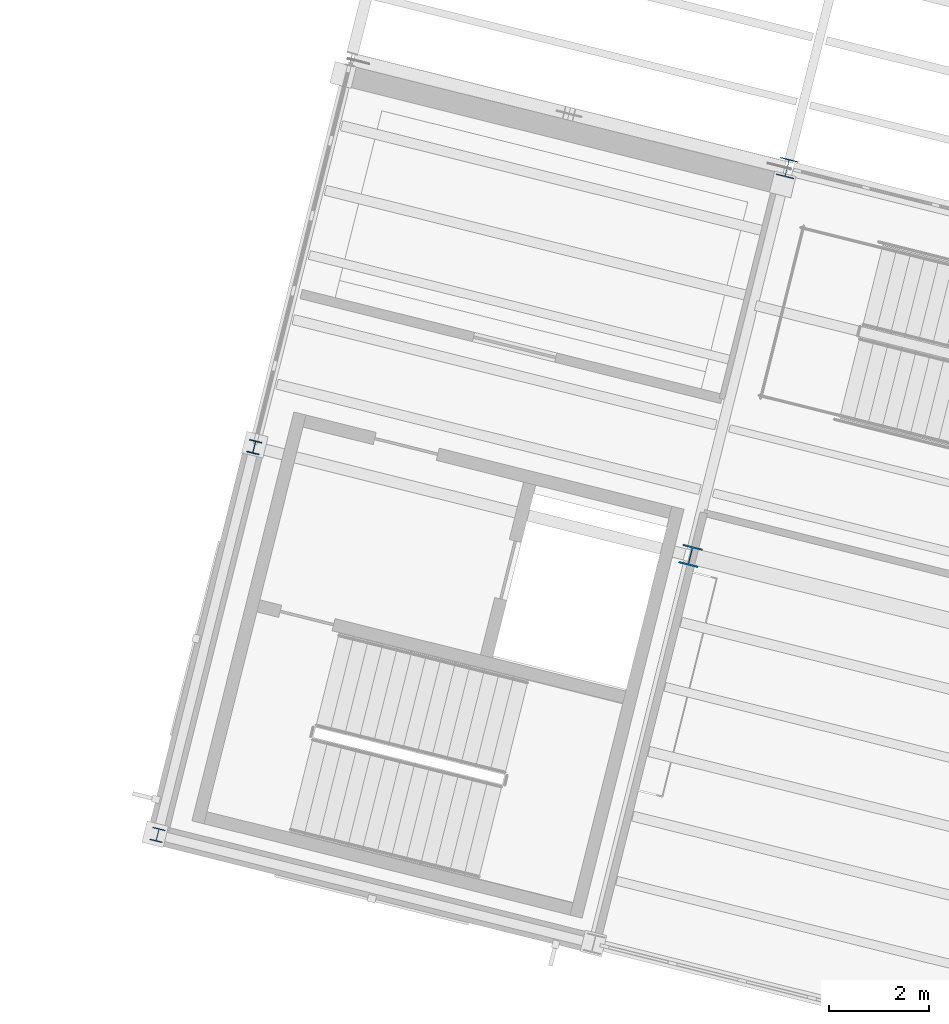
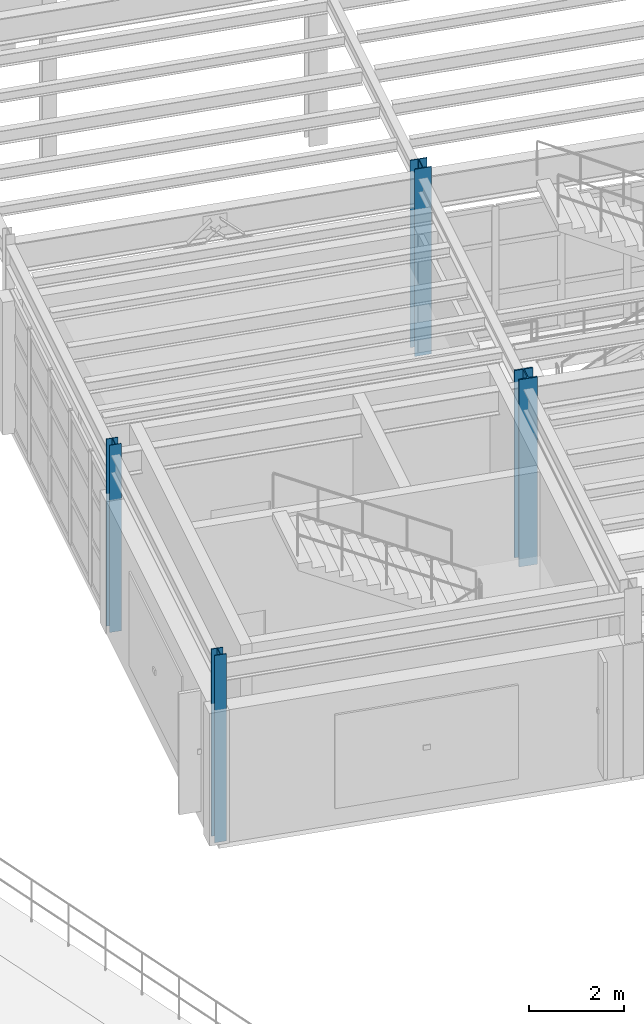
# One storey, part 5 of 109: 4 columns.
"""IFC4 building model written with IfcOpenShell, lengths in metres."""

from ifc_helpers import new_model, si_unit, direction, frame, origin, origin_2d, place, context, subcontext, project, spatial, i_section, extrude, material, material_profile, profile_set, type_object, element, save


model = new_model("IFC4")

# Units and contexts
model_context = context("Model", 3, precision=1e-05, world=origin(), true_north=direction((0.0, 1.0)))
body_context = subcontext(model_context, "Body", "Model", "MODEL_VIEW")
ifc_project = project(units=[si_unit("LENGTHUNIT", "METRE"), si_unit("AREAUNIT", "SQUARE_METRE"), si_unit("VOLUMEUNIT", "CUBIC_METRE"), si_unit("PLANEANGLEUNIT", "RADIAN"), si_unit("MASSUNIT", "GRAM", prefix="KILO")], contexts=[model_context])

# Site, building, storey
site_placement = place(None, origin())
site = spatial("IfcSite", under=ifc_project, at=site_placement, CompositionType="ELEMENT")
building_placement = place(site_placement, origin())
building = spatial("IfcBuilding", under=site, at=building_placement, Name="Vireo Bluff Cable Station", CompositionType="ELEMENT")
storey_placement = place(building_placement, frame((0.0, 0.0, 4.800048828125)))
storey = spatial("IfcBuildingStorey", under=building, at=storey_placement, Name="L01", CompositionType="ELEMENT", Elevation=4.800048828125)

# Columns
ifc_material = material(Name="Steel ASTM A992 Gr. 50", Category="steel")
ifc_material_profile_1 = material_profile(ifc_material, i_section(OverallWidth=0.39892578125, OverallDepth=0.385986328125, WebThickness=0.02099609375, FlangeThickness=0.033203125, FilletRadius=0.014892578125, at=origin_2d()), Name="W14X176")
ifc_profile_set_1 = profile_set([ifc_material_profile_1], Name="Steel ASTM A992 Gr. 50")
column_type_1 = type_object("IfcColumnType", Name="COL-W14X176", PredefinedType="COLUMN", material=ifc_profile_set_1)
column_1_placement = place(storey_placement, frame((64.66796875, 43.5849609375, 0.0), z_axis=(0.0, 0.0, 1.0), x_axis=(0.970295726276, -0.2419218956, 0.0)))
element("IfcColumn", 1, at=column_1_placement, inside=storey, type_object=column_type_1, Name="V1 L01 column 27", PredefinedType="COLUMN", context=body_context, shape_type="SweptSolid", body=[
    extrude(i_section(OverallWidth=0.39892578125, OverallDepth=0.385986328125, WebThickness=0.02099609375, FlangeThickness=0.033203125, FilletRadius=0.014892578125, at=origin_2d()), origin(), (0.0, 0.0, 1.0), 4.800048828125),
])
ifc_material_profile_2 = material_profile(ifc_material, i_section(OverallWidth=0.3701171875, OverallDepth=0.360107421875, WebThickness=0.01220703125, FlangeThickness=0.019775390625, FilletRadius=0.014892578125, at=origin_2d()), Name="W14X99")
ifc_profile_set_2 = profile_set([ifc_material_profile_2], Name="Steel ASTM A992 Gr. 50")
column_type_2 = type_object("IfcColumnType", Name="ECOL-W14X99", PredefinedType="COLUMN", material=ifc_profile_set_2)
column_2_placement = place(storey_placement, frame((66.603515625, 51.347412109375, 0.0), z_axis=(0.0, 0.0, 1.0), x_axis=(0.970295726276, -0.2419218956, 0.0)))
element("IfcColumn", 2, at=column_2_placement, inside=storey, type_object=column_type_2, Name="V1 L01 column 32", PredefinedType="COLUMN", context=body_context, shape_type="SweptSolid", body=[
    extrude(i_section(OverallWidth=0.3701171875, OverallDepth=0.360107421875, WebThickness=0.01220703125, FlangeThickness=0.019775390625, FilletRadius=0.014892578125, at=origin_2d()), origin(), (0.0, 0.0, 1.0), 4.800048828125),
])
ifc_material_profile_3 = material_profile(ifc_material, i_section(OverallWidth=0.2548828125, OverallDepth=0.256103515625, WebThickness=0.009521484375, FlangeThickness=0.015625, FilletRadius=0.009033203125, at=origin_2d()), Name="W10X54")
ifc_profile_set_3 = profile_set([ifc_material_profile_3], Name="Steel ASTM A992 Gr. 50")
column_type_3 = type_object("IfcColumnType", Name="PIL-W10X54", PredefinedType="PILASTER", material=ifc_profile_set_3)
column_3_placement = place(storey_placement, frame((55.935302734375, 45.762451171875, 0.0), z_axis=(0.0, 0.0, 1.0), x_axis=(0.970295726276, -0.2419218956, 0.0)))
element("IfcColumn", 3, at=column_3_placement, inside=storey, type_object=column_type_3, Name="V1 L01 column 7", PredefinedType="PILASTER", context=body_context, shape_type="SweptSolid", body=[
    extrude(i_section(OverallWidth=0.2548828125, OverallDepth=0.256103515625, WebThickness=0.009521484375, FlangeThickness=0.015625, FilletRadius=0.009033203125, at=origin_2d()), origin(), (0.0, 0.0, 1.0), 4.800048828125),
])
ifc_material_profile_4 = material_profile(ifc_material, i_section(OverallWidth=0.257080078125, OverallDepth=0.263916015625, WebThickness=0.011962890625, FlangeThickness=0.01953125, FilletRadius=0.009033203125, at=origin_2d()), Name="W10X68")
ifc_profile_set_4 = profile_set([ifc_material_profile_4], Name="Steel ASTM A992 Gr. 50")
column_type_4 = type_object("IfcColumnType", Name="PIL-W10X68", PredefinedType="PILASTER", material=ifc_profile_set_4)
column_4_placement = place(storey_placement, frame((54.0, 38.0, 0.0), z_axis=(0.0, 0.0, 1.0), x_axis=(0.970295726276, -0.2419218956, 0.0)))
element("IfcColumn", 4, at=column_4_placement, inside=storey, type_object=column_type_4, Name="V1 L01 column 2", PredefinedType="PILASTER", context=body_context, shape_type="SweptSolid", body=[
    extrude(i_section(OverallWidth=0.257080078125, OverallDepth=0.263916015625, WebThickness=0.011962890625, FlangeThickness=0.01953125, FilletRadius=0.009033203125, at=origin_2d()), origin(), (0.0, 0.0, 1.0), 4.800048828125),
])

save(model, "model.ifc")
